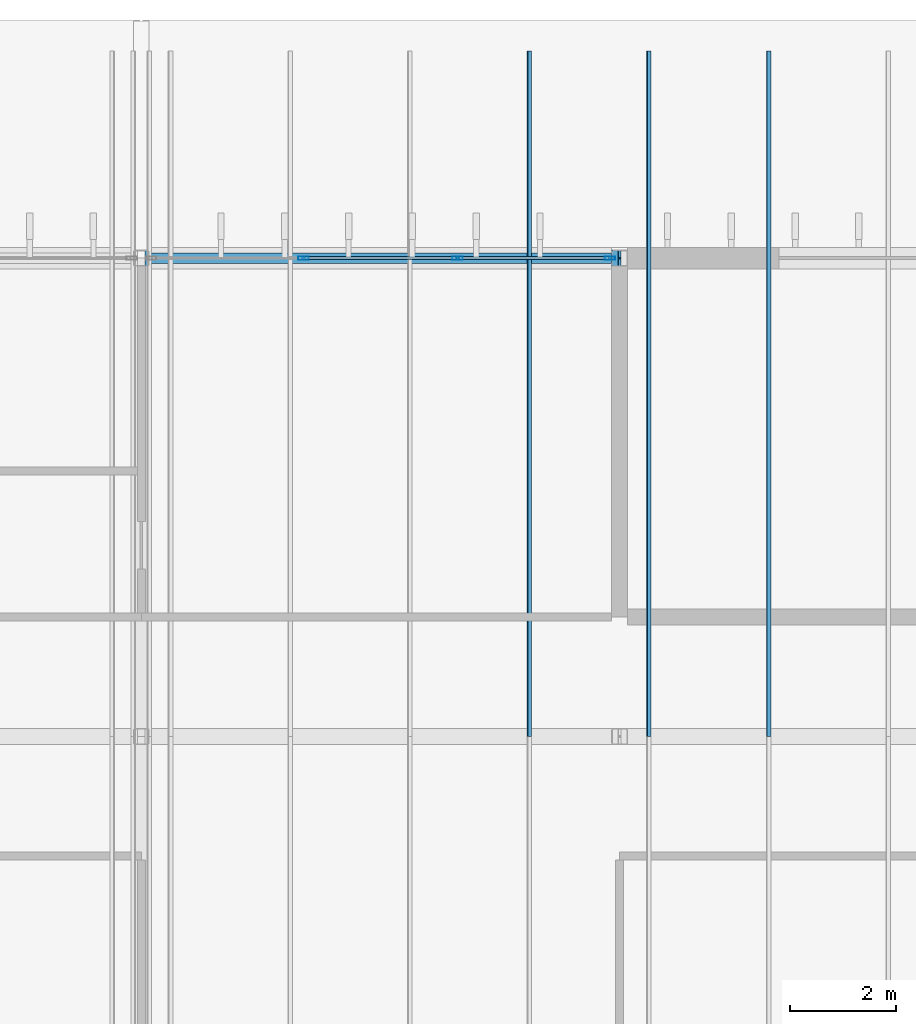
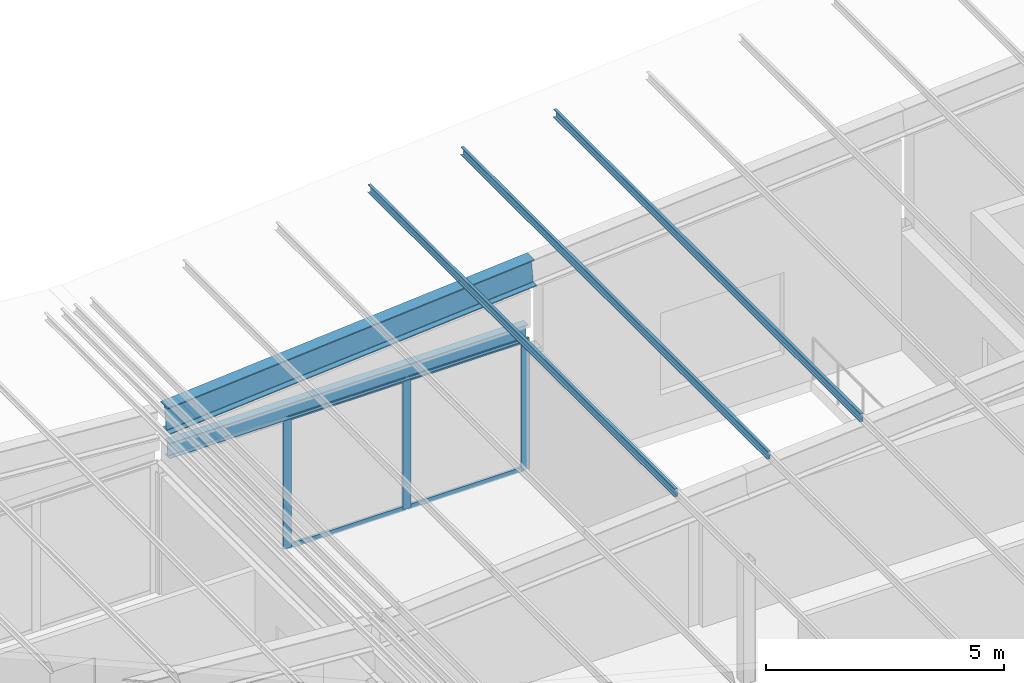
# One storey, part 58 of 85: 11 members, 1 beam, 1 element without a shape of its own.
"""IFC4 building model written with IfcOpenShell, lengths in metres."""

from ifc_helpers import new_model, si_unit, direction, frame, origin, origin_2d, place, context, subcontext, project, spatial, polyline, hollow_rectangle, i_section, outline, extrude, material, layer, layer_set, material_profile, profile_set, type_object, element, aggregate, save


model = new_model("IFC4")

# Units and contexts
model_context = context("Model", 3, precision=1e-05, world=origin(), true_north=direction((0.0, 1.0)))
body_context = subcontext(model_context, "Body", "Model", "MODEL_VIEW")
ifc_project = project(units=[si_unit("LENGTHUNIT", "METRE"), si_unit("AREAUNIT", "SQUARE_METRE"), si_unit("VOLUMEUNIT", "CUBIC_METRE"), si_unit("PLANEANGLEUNIT", "RADIAN"), si_unit("MASSUNIT", "GRAM", prefix="KILO")], contexts=[model_context])

# Site, building, storey
site_placement = place(None, origin())
site = spatial("IfcSite", under=ifc_project, at=site_placement, CompositionType="ELEMENT")
building_placement = place(site_placement, origin())
building = spatial("IfcBuilding", under=site, at=building_placement, Name="Opaline Strait Convention Centre", CompositionType="ELEMENT")
storey_placement = place(building_placement, frame((0.0, 0.0, 17.0)))
storey = spatial("IfcBuildingStorey", under=building, at=storey_placement, Name="L03", CompositionType="ELEMENT", Elevation=17.0)

# Curtain wall, members
ifc_material_1 = material(Name="Aluminium framed double glazing", Category="aluminium")
ifc_layer = layer(ifc_material_1, 0.199951171875)
ifc_layer_set = layer_set([ifc_layer], Name="Aluminium framed double glazing")
curtain_wall_type = type_object("IfcCurtainWallType", Name="Curtain wall 3000 module unitised", PredefinedType="NOTDEFINED", material=ifc_layer_set)
curtain_wall_placement = place(storey_placement, origin())
curtain_wall = element("IfcCurtainWall", 1, at=curtain_wall_placement, inside=storey, type_object=curtain_wall_type, Name="Curtain wall N L03 37/W", PredefinedType="NOTDEFINED")
ifc_material_2 = material(Name="Aluminium alloy 6063", Category="aluminium")
ifc_material_profile_1 = material_profile(ifc_material_2, hollow_rectangle(XDim=0.06005859375, YDim=0.199951171875, WallThickness=0.00390625, at=origin_2d()), Name="MULLION 60x200x4")
ifc_profile_set_1 = profile_set([ifc_material_profile_1], Name="Aluminium alloy 6063")
member_type_1 = type_object("IfcMemberType", Name="Curtain wall mullion 60 x 200", PredefinedType="MULLION", material=ifc_profile_set_1)
member_1_placement = place(storey_placement, frame((327.050048828125, 180.0, 0.0), z_axis=(0.0, 0.0, 1.0), x_axis=(0.0, 1.0, 0.0)))
member_1 = element("IfcMember", 2, at=member_1_placement, type_object=member_type_1, Name="MCWR1 mullion 2", PredefinedType="MULLION", context=body_context, shape_type="SweptSolid", body=[
    extrude(hollow_rectangle(XDim=0.06005859375, YDim=0.199951171875, WallThickness=0.00390625, at=origin_2d()), origin(), (0.0, 0.0, 1.0), 3.35009765625),
])
member_2_placement = place(storey_placement, frame((329.949951171875, 180.0, 0.0), z_axis=(0.0, 0.0, 1.0), x_axis=(0.0, 1.0, 0.0)))
member_2 = element("IfcMember", 3, at=member_2_placement, type_object=member_type_1, Name="MCWR1 mullion 3", PredefinedType="MULLION", context=body_context, shape_type="SweptSolid", body=[
    extrude(hollow_rectangle(XDim=0.06005859375, YDim=0.199951171875, WallThickness=0.00390625, at=origin_2d()), origin(), (0.0, 0.0, 1.0), 3.35009765625),
])
member_3_placement = place(storey_placement, frame((332.820068359375, 180.0, 0.0), z_axis=(0.0, 0.0, 1.0), x_axis=(0.0, 1.0, 0.0)))
member_3 = element("IfcMember", 4, at=member_3_placement, type_object=member_type_1, Name="MCWR1 mullion 4", PredefinedType="MULLION", context=body_context, shape_type="SweptSolid", body=[
    extrude(hollow_rectangle(XDim=0.06005859375, YDim=0.199951171875, WallThickness=0.00390625, at=origin_2d()), origin(), (0.0, 0.0, 1.0), 3.35009765625),
])
ifc_material_profile_2 = material_profile(ifc_material_2, hollow_rectangle(XDim=0.06005859375, YDim=0.1201171875, WallThickness=0.0029296875, at=origin_2d()), Name="TRANSOM 60x120x3")
ifc_profile_set_2 = profile_set([ifc_material_profile_2], Name="Aluminium alloy 6063")
member_type_2 = type_object("IfcMemberType", Name="Curtain wall transom 60 x 120", PredefinedType="USERDEFINED", material=ifc_profile_set_2)
member_4_placement = place(storey_placement, frame((327.080078125, 180.0, 0.030029296875), z_axis=(1.0, 0.0, 0.0), x_axis=(0.0, 1.0, 0.0)))
member_4 = element("IfcMember", 5, at=member_4_placement, type_object=member_type_2, Name="MCWR1 transom 2.1", ObjectType="TRANSOM", PredefinedType="USERDEFINED", context=body_context, shape_type="SweptSolid", body=[
    extrude(hollow_rectangle(XDim=0.06005859375, YDim=0.1201171875, WallThickness=0.0029296875, at=origin_2d()), origin(), (0.0, 0.0, 1.0), 2.83984375),
])
member_5_placement = place(storey_placement, frame((327.080078125, 180.0, 3.320068359375), z_axis=(1.0, 0.0, 0.0), x_axis=(0.0, 1.0, 0.0)))
member_5 = element("IfcMember", 6, at=member_5_placement, type_object=member_type_2, Name="MCWR1 transom 2.2", ObjectType="TRANSOM", PredefinedType="USERDEFINED", context=body_context, shape_type="SweptSolid", body=[
    extrude(hollow_rectangle(XDim=0.06005859375, YDim=0.1201171875, WallThickness=0.0029296875, at=origin_2d()), origin(), (0.0, 0.0, 1.0), 2.83984375),
])
member_6_placement = place(storey_placement, frame((329.97998046875, 180.0, 0.030029296875), z_axis=(1.0, 0.0, 0.0), x_axis=(0.0, 1.0, 0.0)))
member_6 = element("IfcMember", 7, at=member_6_placement, type_object=member_type_2, Name="MCWR1 transom 3.1", ObjectType="TRANSOM", PredefinedType="USERDEFINED", context=body_context, shape_type="SweptSolid", body=[
    extrude(hollow_rectangle(XDim=0.06005859375, YDim=0.1201171875, WallThickness=0.0029296875, at=origin_2d()), origin(), (0.0, 0.0, 1.0), 2.81005859375),
])
member_7_placement = place(storey_placement, frame((329.97998046875, 180.0, 3.320068359375), z_axis=(1.0, 0.0, 0.0), x_axis=(0.0, 1.0, 0.0)))
member_7 = element("IfcMember", 8, at=member_7_placement, type_object=member_type_2, Name="MCWR1 transom 3.2", ObjectType="TRANSOM", PredefinedType="USERDEFINED", context=body_context, shape_type="SweptSolid", body=[
    extrude(hollow_rectangle(XDim=0.06005859375, YDim=0.1201171875, WallThickness=0.0029296875, at=origin_2d()), origin(), (0.0, 0.0, 1.0), 2.81005859375),
])
aggregate(curtain_wall, [member_1, member_2, member_3, member_4, member_5, member_6, member_7])

# Beam
ifc_material_3 = material(Name="Steel Q355B", Category="steel")
ifc_material_profile_3 = material_profile(ifc_material_3, i_section(OverallWidth=0.199951171875, OverallDepth=0.39990234375, WebThickness=0.008056640625, FlangeThickness=0.012939453125, FilletRadius=0.012939453125, at=origin_2d()), Name="HN 400x200x8x13")
ifc_profile_set_3 = profile_set([ifc_material_profile_3], Name="Steel Q355B")
beam_type = type_object("IfcBeamType", Name="Lintel beam HN 400x200x8x13", PredefinedType="BEAM", material=ifc_profile_set_3)
beam_placement = place(storey_placement, frame((324.14990234375, 180.0, 3.550048828125), z_axis=(1.0, 0.0, 0.0), x_axis=(0.0, 1.0, 0.0)))
element("IfcBeam", 9, at=beam_placement, inside=storey, type_object=beam_type, Name="MLB1 lintel beam over curtain wall 37/W", PredefinedType="BEAM", context=body_context, shape_type="SweptSolid", body=[
    extrude(i_section(OverallWidth=0.199951171875, OverallDepth=0.39990234375, WebThickness=0.008056640625, FlangeThickness=0.012939453125, FilletRadius=0.012939453125, at=origin_2d()), origin(), (0.0, 0.0, 1.0), 8.7001953125),
])

# Members
ifc_material_profile_4 = material_profile(ifc_material_3, outline(polyline([(-0.034912109375, -0.10009765625), (0.034912109375, -0.10009765625), (0.034912109375, -0.080078125), (0.032470703125, -0.080078125), (0.032470703125, -0.097412109375), (-0.032470703125, -0.097412109375), (-0.032470703125, 0.097412109375), (0.032470703125, 0.097412109375), (0.032470703125, 0.080078125), (0.034912109375, 0.080078125), (0.034912109375, 0.10009765625), (-0.034912109375, 0.10009765625), (-0.034912109375, -0.10009765625)])), Name="C 200x70x20x2.5")
ifc_profile_set_4 = profile_set([ifc_material_profile_4], Name="Steel Q355B")
member_type_3 = type_object("IfcMemberType", Name="Roof purlin C 200x70x20x2.5", PredefinedType="PURLIN", material=ifc_profile_set_4)
for number, where, z_axis, x_axis, name in (
    (10, (331.300048828125, 171.0, 5.376953125), (0.0, 1.0, 0.0), (-0.996917333733, 0.0, 0.078459095728), "MRP1 purlin E wing 260"),
    (11, (333.550048828125, 171.0, 5.553955078125), (0.0, 1.0, 0.0), (-0.996917333733, 0.0, 0.078459095728), "MRP1 purlin E wing 270"),
    (12, (335.800048828125, 171.0, 5.731201171875), (0.0, 1.0, 0.0), (-0.996917333733, 0.0, 0.078459095728), "MRP1 purlin E wing 280"),
):
    element("IfcMember", number, at=place(storey_placement, frame(where, z_axis=z_axis, x_axis=x_axis)), inside=storey, type_object=member_type_3, Name=name, PredefinedType="PURLIN", context=body_context, shape_type="SweptSolid", body=[
        extrude(outline(polyline([(-0.034912109375, -0.10009765625), (0.034912109375, -0.10009765625), (0.034912109375, -0.080078125), (0.032470703125, -0.080078125), (0.032470703125, -0.097412109375), (-0.032470703125, -0.097412109375), (-0.032470703125, 0.097412109375), (0.032470703125, 0.097412109375), (0.032470703125, 0.080078125), (0.034912109375, 0.080078125), (0.034912109375, 0.10009765625), (-0.034912109375, 0.10009765625), (-0.034912109375, -0.10009765625)])), origin(), (0.0, 0.0, 1.0), 12.89990234375),
    ])
ifc_material_profile_5 = material_profile(ifc_material_3, i_section(OverallWidth=0.300048828125, OverallDepth=0.699951171875, WebThickness=0.012939453125, FlangeThickness=0.02392578125, FilletRadius=0.01806640625, at=origin_2d()), Name="HN 700x300x13x24")
ifc_profile_set_5 = profile_set([ifc_material_profile_5], Name="Steel Q355B")
member_type_4 = type_object("IfcMemberType", Name="Roof rafter HN 700x300x13x24", PredefinedType="RAFTER", material=ifc_profile_set_5)
member_8_placement = place(storey_placement, frame((324.10009765625, 180.0, 4.35888671875), z_axis=(0.996917316665, 0.0, 0.0784593126), x_axis=(0.0, 1.0, 0.0)))
element("IfcMember", 13, at=member_8_placement, inside=storey, type_object=member_type_4, Name="MRR1 rafter y 180", PredefinedType="RAFTER", context=body_context, shape_type="SweptSolid", body=[
    extrude(i_section(OverallWidth=0.300048828125, OverallDepth=0.699951171875, WebThickness=0.012939453125, FlangeThickness=0.02392578125, FilletRadius=0.01806640625, at=origin_2d()), origin(), (0.0, 0.0, 1.0), 8.927490234375),
])

save(model, "model.ifc")
